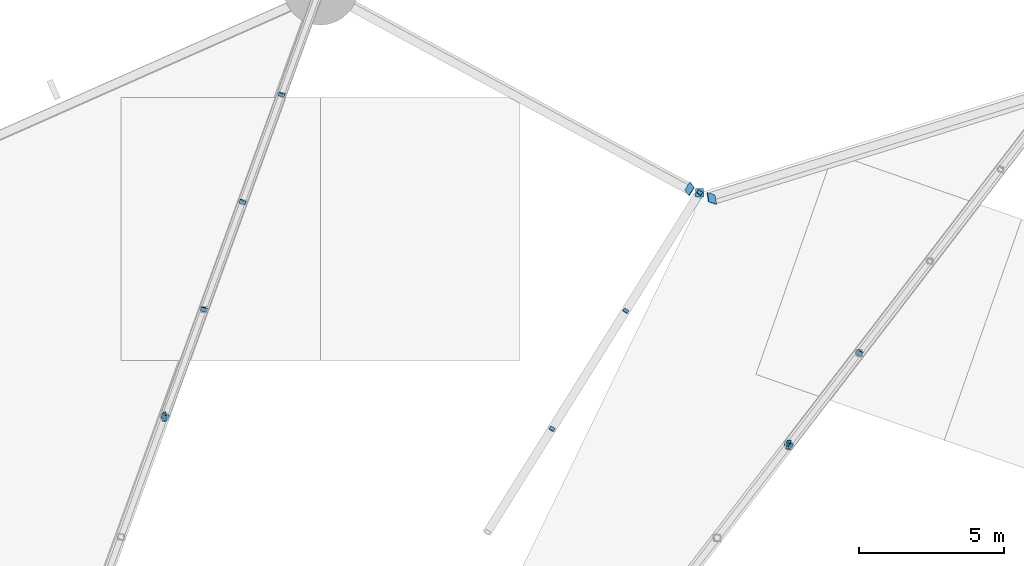
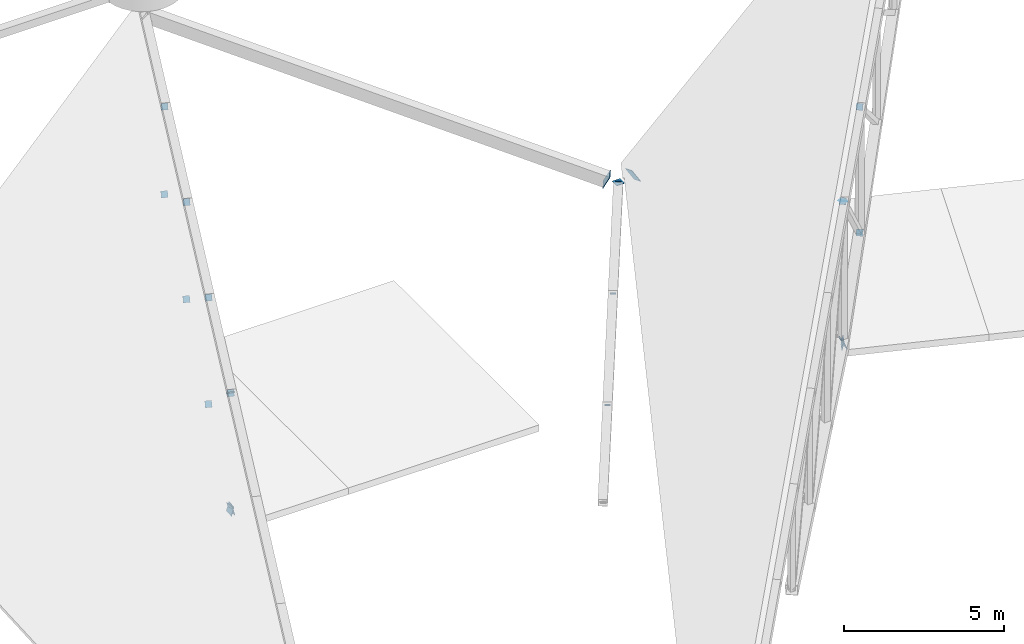
# One storey, part 186 of 188: 22 discrete accessories.
"""IFC4 building model written with IfcOpenShell, lengths in metres."""

from ifc_helpers import new_model, si_unit, direction, frame, origin, origin_2d, place, context, subcontext, project, spatial, rectangle, extrude, material, material_profile, profile_set, type_object, element, save


model = new_model("IFC4")

# Units and contexts
model_context = context("Model", 3, precision=1e-05, world=origin(), true_north=direction((0.0, 1.0)))
body_context = subcontext(model_context, "Body", "Model", "MODEL_VIEW")
ifc_project = project(units=[si_unit("LENGTHUNIT", "METRE"), si_unit("AREAUNIT", "SQUARE_METRE"), si_unit("VOLUMEUNIT", "CUBIC_METRE"), si_unit("PLANEANGLEUNIT", "RADIAN"), si_unit("MASSUNIT", "GRAM", prefix="KILO")], contexts=[model_context])

# Site, building, storey
site_placement = place(None, origin())
site = spatial("IfcSite", under=ifc_project, at=site_placement, CompositionType="ELEMENT")
building_placement = place(site_placement, origin())
building = spatial("IfcBuilding", under=site, at=building_placement, Name="Meseta Stadium", CompositionType="ELEMENT")
storey_placement = place(building_placement, frame((0.0, 0.0, 30.0)))
storey = spatial("IfcBuildingStorey", under=building, at=storey_placement, Name="ROOF", CompositionType="ELEMENT", Elevation=30.0)

# Discrete accessories
ifc_material_1 = material(Name="Steel S355", Category="steel")
ifc_material_profile_1 = material_profile(ifc_material_1, rectangle(XDim=0.179931640625, YDim=0.179931640625, at=origin_2d()), Name="PL 180x180")
ifc_profile_set_1 = profile_set([ifc_material_profile_1], Name="Steel S355")
discrete_accessory_type_1 = type_object("IfcDiscreteAccessoryType", Name="End plate 180x180x20", PredefinedType="ANCHORPLATE", material=ifc_profile_set_1)
for number, where, z_axis, x_axis, name in (
    (1, (46.333251953125, 90.126220703125, 1.79833984375), (0.378781816324, 0.623157181694, 0.684251023036), (-0.854521941471, 0.519415297757, 0.0), "End plate of ROOF TRUSS RT-15 diagonal"),
    (2, (48.88720703125, 94.210205078125, 2.68798828125), (0.413101070966, 0.643951669447, 0.643951669447), (-0.841694082266, 0.539954694284, 0.0), "End plate of ROOF TRUSS RT-15 diagonal"),
    (3, (51.44140625, 98.29443359375, 3.57763671875), (0.402948725724, 0.647160074648, 0.647160074648), (-0.848896908954, 0.528558452745, 0.0), "End plate of ROOF TRUSS RT-15 diagonal"),
):
    element("IfcDiscreteAccessory", number, at=place(storey_placement, frame(where, z_axis=z_axis, x_axis=x_axis)), inside=storey, type_object=discrete_accessory_type_1, Name=name, PredefinedType="ANCHORPLATE", context=body_context, shape_type="SweptSolid", body=[
        extrude(rectangle(XDim=0.179931640625, YDim=0.179931640625, at=origin_2d()), origin(), (0.0, 0.0, 1.0), 0.02001953125),
    ])
ifc_material_2 = material(Name="Steel S355", Category="steel")
ifc_material_profile_2 = material_profile(ifc_material_2, rectangle(XDim=0.219970703125, YDim=0.219970703125, at=origin_2d()), Name="PL 220x220")
ifc_profile_set_2 = profile_set([ifc_material_profile_2], Name="Steel S355")
discrete_accessory_type_2 = type_object("IfcDiscreteAccessoryType", Name="End plate 220x220x20", PredefinedType="ANCHORPLATE", material=ifc_profile_set_2)
discrete_accessory_1_placement = place(storey_placement, frame((54.5146484375, 89.568115234375, 7.08203125), z_axis=(0.427433594844, 0.56176986751, -0.708318528599), x_axis=(-0.795828694121, 0.605521832483, 0.0)))
element("IfcDiscreteAccessory", 4, at=discrete_accessory_1_placement, inside=storey, type_object=discrete_accessory_type_2, Name="End plate of ROOF TRUSS RT-14 diagonal", PredefinedType="ANCHORPLATE", context=body_context, shape_type="SweptSolid", body=[
    extrude(rectangle(XDim=0.219970703125, YDim=0.219970703125, at=origin_2d()), origin(), (0.0, 0.0, 1.0), 0.02001953125),
])
discrete_accessory_2_placement = place(storey_placement, frame((56.966796875, 92.75732421875, 3.082763671875), z_axis=(0.431146968735, 0.566650301766, -0.702153634797), x_axis=(-0.795828694121, 0.605521832483, 0.0)))
element("IfcDiscreteAccessory", 5, at=discrete_accessory_2_placement, inside=storey, type_object=discrete_accessory_type_2, Name="End plate of ROOF TRUSS RT-14 diagonal", PredefinedType="ANCHORPLATE", context=body_context, shape_type="SweptSolid", body=[
    extrude(rectangle(XDim=0.219970703125, YDim=0.219970703125, at=origin_2d()), origin(), (0.0, 0.0, 1.0), 0.019775390625),
])
for number, where, z_axis, x_axis, name in (
    (6, (56.95751953125, 92.7451171875, 7.90625), (0.462418522526, 0.608445424376, -0.644952149838), (-0.796162194123, 0.605083267534, 0.0), "End plate of ROOF TRUSS RT-14 diagonal"),
    (7, (32.938720703125, 90.536376953125, 6.71142578125), (0.269074148762, 0.733838587532, -0.623762799402), (-0.938876315887, 0.344254649158, 0.0), "End plate of ROOF TRUSS RT-16 diagonal"),
    (8, (34.291259765625, 94.263427734375, 3.556396484375), (0.269074148762, 0.733838587532, -0.623762799402), (-0.938876315887, 0.344254649158, 0.0), "End plate of ROOF TRUSS RT-16 diagonal"),
    (9, (34.28564453125, 94.248046875, 7.638916015625), (0.280843051262, 0.76926574911, -0.573896669971), (-0.93935731982, 0.342939973903, 0.0), "End plate of ROOF TRUSS RT-16 diagonal"),
    (10, (35.638671875, 97.9755859375, 4.841796875), (0.280843051262, 0.76926574911, -0.573896669971), (-0.93935731982, 0.342939973903, 0.0), "End plate of ROOF TRUSS RT-16 diagonal"),
    (11, (35.6328125, 97.95947265625, 8.56640625), (0.291450207949, 0.801488071859, -0.522181622575), (-0.939793423488, 0.341743063087, 0.0), "End plate of ROOF TRUSS RT-16 diagonal"),
    (12, (36.986083984375, 101.687744140625, 6.127197265625), (0.2802794651, 0.804280204199, -0.524000739099), (-0.944303613372, 0.32907550163, 0.0), "End plate of ROOF TRUSS RT-16 diagonal"),
    (13, (36.97998046875, 101.671142578125, 9.49365234375), (0.305583285667, 0.831186537015, -0.464486594215), (-0.938578553396, 0.345065644631, 0.0), "End plate of ROOF TRUSS RT-16 diagonal"),
):
    element("IfcDiscreteAccessory", number, at=place(storey_placement, frame(where, z_axis=z_axis, x_axis=x_axis)), inside=storey, type_object=discrete_accessory_type_2, Name=name, PredefinedType="ANCHORPLATE", context=body_context, shape_type="SweptSolid", body=[
        extrude(rectangle(XDim=0.219970703125, YDim=0.219970703125, at=origin_2d()), origin(), (0.0, 0.0, 1.0), 0.02001953125),
    ])
ifc_material_3 = material(Name="Steel S355", Category="steel")
ifc_material_profile_3 = material_profile(ifc_material_3, rectangle(XDim=0.239990234375, YDim=0.239990234375, at=origin_2d()), Name="PL 240x240")
ifc_profile_set_3 = profile_set([ifc_material_profile_3], Name="Steel S355")
discrete_accessory_type_3 = type_object("IfcDiscreteAccessoryType", Name="End plate 240x240x20", PredefinedType="ANCHORPLATE", material=ifc_profile_set_3)
discrete_accessory_3_placement = place(storey_placement, frame((32.944091796875, 90.551025390625, 6.698974609375), z_axis=(0.219105253622, 0.632970732686, 0.742523359497), x_axis=(-0.94498607344, 0.327110563883, 0.0)))
element("IfcDiscreteAccessory", 14, at=discrete_accessory_3_placement, inside=storey, type_object=discrete_accessory_type_3, Name="End plate of ROOF TRUSS RT-16 diagonal", PredefinedType="ANCHORPLATE", context=body_context, shape_type="SweptSolid", body=[
    extrude(rectangle(XDim=0.239990234375, YDim=0.239990234375, at=origin_2d()), origin(), (0.0, 0.0, 1.0), 0.02001953125),
])
ifc_material_4 = material(Name="Steel S355", Category="steel")
ifc_material_profile_4 = material_profile(ifc_material_4, rectangle(XDim=0.260009765625, YDim=0.260009765625, at=origin_2d()), Name="PL 260x260")
ifc_profile_set_4 = profile_set([ifc_material_profile_4], Name="Steel S355")
discrete_accessory_type_4 = type_object("IfcDiscreteAccessoryType", Name="End plate 260x260x20", PredefinedType="ANCHORPLATE", material=ifc_profile_set_4)
discrete_accessory_4_placement = place(storey_placement, frame((54.523193359375, 89.579345703125, 7.06787109375), z_axis=(0.354317831249, 0.452060681249, 0.818596368748), x_axis=(-0.787055915151, 0.616881663227, 0.0)))
element("IfcDiscreteAccessory", 15, at=discrete_accessory_4_placement, inside=storey, type_object=discrete_accessory_type_4, Name="End plate of ROOF TRUSS RT-14 diagonal", PredefinedType="ANCHORPLATE", context=body_context, shape_type="SweptSolid", body=[
    extrude(rectangle(XDim=0.260009765625, YDim=0.260009765625, at=origin_2d()), origin(), (0.0, 0.0, 1.0), 0.02001953125),
])
ifc_material_5 = material(Name="Steel S355", Category="steel")
ifc_material_profile_5 = material_profile(ifc_material_5, rectangle(XDim=0.2900390625, YDim=0.2900390625, at=origin_2d()), Name="PL 290x290")
ifc_profile_set_5 = profile_set([ifc_material_profile_5], Name="Steel S355")
discrete_accessory_type_5 = type_object("IfcDiscreteAccessoryType", Name="End plate 290x290x20", PredefinedType="ANCHORPLATE", material=ifc_profile_set_5)
discrete_accessory_5_placement = place(storey_placement, frame((51.44140625, 98.29443359375, 3.57763671875), z_axis=(0.0, 0.0, 1.0), x_axis=(1.0, 0.0, 0.0)))
element("IfcDiscreteAccessory", 16, at=discrete_accessory_5_placement, inside=storey, type_object=discrete_accessory_type_5, Name="End plate of ROOF TRUSS RT-15 post", PredefinedType="ANCHORPLATE", context=body_context, shape_type="SweptSolid", body=[
    extrude(rectangle(XDim=0.2900390625, YDim=0.2900390625, at=origin_2d()), origin(), (0.0, 0.0, 1.0), 0.02001953125),
])
ifc_material_6 = material(Name="Steel S355", Category="steel")
ifc_material_profile_6 = material_profile(ifc_material_6, rectangle(XDim=0.340087890625, YDim=0.340087890625, at=origin_2d()), Name="PL 340x340")
ifc_profile_set_6 = profile_set([ifc_material_profile_6], Name="Steel S355")
discrete_accessory_type_6 = type_object("IfcDiscreteAccessoryType", Name="End plate 340x340x20", PredefinedType="ANCHORPLATE", material=ifc_profile_set_6)
for number, where, z_axis, x_axis, name in (
    (17, (54.523193359375, 89.579345703125, 1.65380859375), (-0.89310418461, 0.415966332558, 0.171280254583), (-0.42220553922, -0.906500128324, 0.0), "End plate of ROOF PIVOT STRUT RT-13/14"),
    (18, (54.5419921875, 89.578125, 1.660888671875), (-0.934105640733, 0.060656210437, -0.351806020536), (-0.064798594974, -0.997898362605, 0.0), "End plate of ROOF PIVOT STRUT RT-14/15"),
    (19, (32.944091796875, 90.551025390625, 2.27099609375), (-0.965787491637, 0.036675474366, 0.256728320562), (-0.037947331922, -0.999279740613, 0.0), "End plate of ROOF PIVOT STRUT RT-15/16"),
):
    element("IfcDiscreteAccessory", number, at=place(storey_placement, frame(where, z_axis=z_axis, x_axis=x_axis)), inside=storey, type_object=discrete_accessory_type_6, Name=name, PredefinedType="ANCHORPLATE", context=body_context, shape_type="SweptSolid", body=[
        extrude(rectangle(XDim=0.340087890625, YDim=0.340087890625, at=origin_2d()), origin(), (0.0, 0.0, 1.0), 0.02001953125),
    ])
discrete_accessory_6_placement = place(storey_placement, frame((32.96337890625, 90.552490234375, 2.275634765625), z_axis=(-0.969635410433, -0.073643195729, -0.233203453142), x_axis=(0.075731260606, -0.997128264652, 0.0)))
element("IfcDiscreteAccessory", 20, at=discrete_accessory_6_placement, inside=storey, type_object=discrete_accessory_type_6, Name="End plate of ROOF PIVOT STRUT RT-16/17", PredefinedType="ANCHORPLATE", context=body_context, shape_type="SweptSolid", body=[
    extrude(rectangle(XDim=0.340087890625, YDim=0.340087890625, at=origin_2d()), origin(), (0.0, 0.0, 1.0), 0.019775390625),
])
ifc_material_7 = material(Name="Steel S355", Category="steel")
ifc_material_profile_7 = material_profile(ifc_material_7, rectangle(XDim=0.340087890625, YDim=0.5400390625, at=origin_2d()), Name="PL 340x540")
ifc_profile_set_7 = profile_set([ifc_material_profile_7], Name="Steel S355")
discrete_accessory_type_7 = type_object("IfcDiscreteAccessoryType", Name="End plate 340x540x20", PredefinedType="ANCHORPLATE", material=ifc_profile_set_7)
discrete_accessory_7_placement = place(storey_placement, frame((51.87158203125, 98.102783203125, 3.84326171875), z_axis=(-0.851823594126, -0.267715986725, -0.450249614038), x_axis=(0.15435067023, -0.949653193771, 0.27264387424)))
element("IfcDiscreteAccessory", 21, at=discrete_accessory_7_placement, inside=storey, type_object=discrete_accessory_type_7, Name="End plate of RIM RING BEAM 15", PredefinedType="ANCHORPLATE", context=body_context, shape_type="SweptSolid", body=[
    extrude(rectangle(XDim=0.340087890625, YDim=0.5400390625, at=origin_2d()), origin(), (0.0, 0.0, 1.0), 0.02001953125),
])
discrete_accessory_8_placement = place(storey_placement, frame((51.10595703125, 98.427978515625, 3.73876953125), z_axis=(-0.79989717318, 0.436307549007, 0.412068240729), x_axis=(-0.539029868482, -0.824184367165, -0.173686297113)))
element("IfcDiscreteAccessory", 22, at=discrete_accessory_8_placement, inside=storey, type_object=discrete_accessory_type_7, Name="End plate of RIM RING BEAM 16", PredefinedType="ANCHORPLATE", context=body_context, shape_type="SweptSolid", body=[
    extrude(rectangle(XDim=0.340087890625, YDim=0.5400390625, at=origin_2d()), origin(), (0.0, 0.0, 1.0), 0.020263671875),
])

save(model, "model.ifc")
